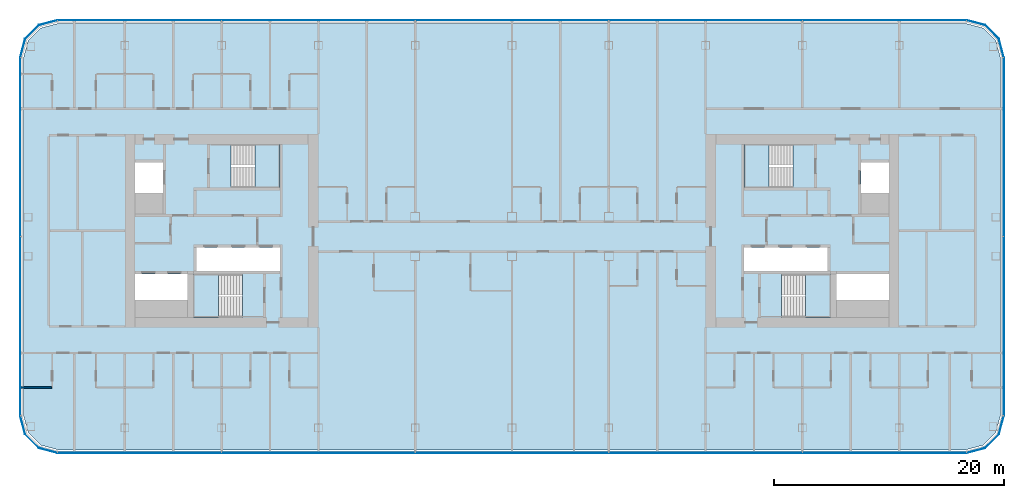
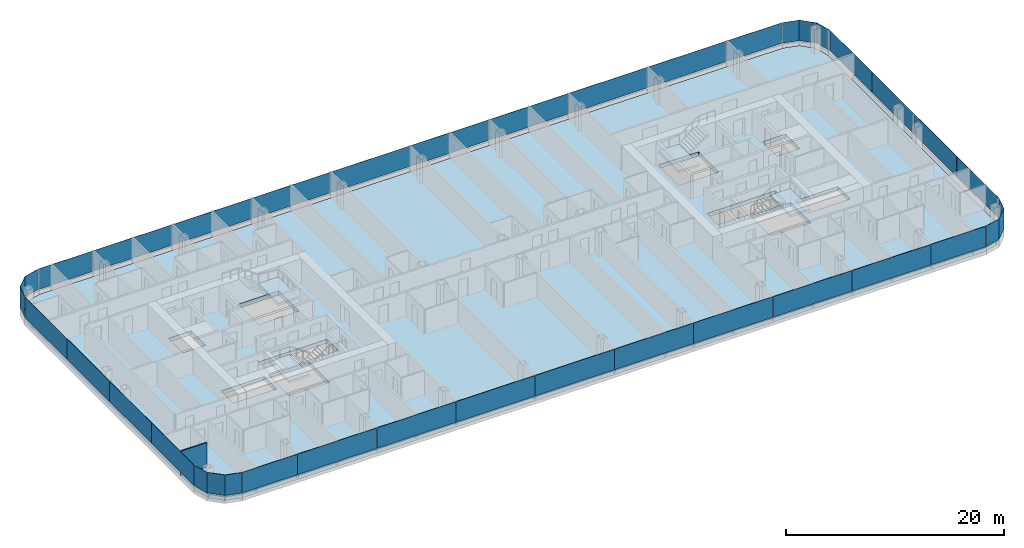
# One storey, part 11 of 26: 32 plates, 5 slabs, 1 wall, 12 elements without a shape of their own.
"""IFC4 building model written with IfcOpenShell, lengths in metres."""

from ifc_helpers import new_model, si_unit, direction, frame, frame_2d, origin, origin_2d, place, context, subcontext, project, spatial, polyline, rectangle, outline, extrude, material, layer, layer_set, type_object, element, aggregate, save


model = new_model("IFC4")

# Units and contexts
model_context = context("Model", 3, precision=1e-05, world=origin(), true_north=direction((0.0, 1.0)))
body_context = subcontext(model_context, "Body", "Model", "MODEL_VIEW")
ifc_project = project(units=[si_unit("LENGTHUNIT", "METRE"), si_unit("AREAUNIT", "SQUARE_METRE"), si_unit("VOLUMEUNIT", "CUBIC_METRE"), si_unit("PLANEANGLEUNIT", "RADIAN"), si_unit("MASSUNIT", "GRAM", prefix="KILO")], contexts=[model_context])

# Site, building, storey
site_placement = place(None, origin())
site = spatial("IfcSite", under=ifc_project, at=site_placement, CompositionType="ELEMENT")
building_placement = place(site_placement, origin())
building = spatial("IfcBuilding", under=site, at=building_placement, Name="Hakoniwa Tower and Hamabe Station Hall", CompositionType="ELEMENT")
storey_placement = place(building_placement, frame((0.0, 0.0, 134.199951171875)))
storey = spatial("IfcBuildingStorey", under=building, at=storey_placement, Name="L37", CompositionType="ELEMENT", Elevation=134.199951171875)

# Stair, slab
ifc_material_1 = material(Name="Concrete C40", Category="concrete")
stair_type = type_object("IfcStairType", Name="ESCAPE STAIR 1800", PredefinedType="HALF_TURN_STAIR", material=ifc_material_1)
stair_1_placement = place(storey_placement, origin())
stair_1 = element("IfcStair", 1, at=stair_1_placement, inside=storey, type_object=stair_type, Name="Escape stair ST-1 L37", PredefinedType="HALF_TURN_STAIR")
ifc_material_2 = material(Name="Concrete C40", Category="concrete")
ifc_layer_1 = layer(ifc_material_2, 0.25)
ifc_layer_set_1 = layer_set([ifc_layer_1], Name="CORE STAIR LANDING 250")
slab_type_1 = type_object("IfcSlabType", Name="CORE STAIR LANDING 250", PredefinedType="LANDING", material=ifc_layer_set_1)
slab_1_placement = place(storey_placement, frame((0.0, 0.0, 1.35009765625)))
slab_1 = element("IfcSlab", 2, at=slab_1_placement, type_object=slab_type_1, Name="ST-1 landing 1", PredefinedType="LANDING", context=body_context, shape_type="SweptSolid", body=[
    extrude(outline(polyline([(-22.320068359375, 3.75), (-20.14990234375, 3.75), (-20.14990234375, 7.5), (-22.320068359375, 7.5), (-22.320068359375, 3.75)])), origin(), (0.0, 0.0, 1.0), 0.25),
])
aggregate(stair_1, [slab_1])

stair_2_placement = place(storey_placement, origin())
stair_2 = element("IfcStair", 3, at=stair_2_placement, inside=storey, type_object=stair_type, Name="Escape stair ST-2 L37", PredefinedType="HALF_TURN_STAIR")
slab_2_placement = place(storey_placement, frame((0.0, 0.0, 1.35009765625)))
slab_2 = element("IfcSlab", 4, at=slab_2_placement, type_object=slab_type_1, Name="ST-2 landing 1", PredefinedType="LANDING", context=body_context, shape_type="SweptSolid", body=[
    extrude(outline(polyline([(-25.47998046875, -7.5), (-27.64990234375, -7.5), (-27.64990234375, -3.75), (-25.47998046875, -3.75), (-25.47998046875, -7.5)])), origin(), (0.0, 0.0, 1.0), 0.25),
])
aggregate(stair_2, [slab_2])

stair_3_placement = place(storey_placement, origin())
stair_3 = element("IfcStair", 5, at=stair_3_placement, inside=storey, type_object=stair_type, Name="Escape stair ST-3 L37", PredefinedType="HALF_TURN_STAIR")
slab_3_placement = place(storey_placement, frame((0.0, 0.0, 1.35009765625)))
slab_3 = element("IfcSlab", 6, at=slab_3_placement, type_object=slab_type_1, Name="ST-3 landing 1", PredefinedType="LANDING", context=body_context, shape_type="SweptSolid", body=[
    extrude(outline(polyline([(22.320068359375, 3.75), (20.14990234375, 3.75), (20.14990234375, 7.5), (22.320068359375, 7.5), (22.320068359375, 3.75)])), origin(), (0.0, 0.0, 1.0), 0.25),
])
aggregate(stair_3, [slab_3])

stair_4_placement = place(storey_placement, origin())
stair_4 = element("IfcStair", 7, at=stair_4_placement, inside=storey, type_object=stair_type, Name="Escape stair ST-4 L37", PredefinedType="HALF_TURN_STAIR")
slab_4_placement = place(storey_placement, frame((0.0, 0.0, 1.35009765625)))
slab_4 = element("IfcSlab", 8, at=slab_4_placement, type_object=slab_type_1, Name="ST-4 landing 1", PredefinedType="LANDING", context=body_context, shape_type="SweptSolid", body=[
    extrude(outline(polyline([(25.47998046875, -7.5), (27.64990234375, -7.5), (27.64990234375, -3.75), (25.47998046875, -3.75), (25.47998046875, -7.5)])), origin(), (0.0, 0.0, 1.0), 0.25),
])
aggregate(stair_4, [slab_4])

# Curtain wall, plates
ifc_material_3 = material(Name="Dark low-e laminated glass", Category="glass")
ifc_layer_2 = layer(ifc_material_3, 0.199951171875)
ifc_layer_set_2 = layer_set([ifc_layer_2], Name="CW-1 UNITISED GUEST")
curtain_wall_type = type_object("IfcCurtainWallType", Name="CW-1 UNITISED GUEST", PredefinedType="NOTDEFINED", material=ifc_layer_set_2)
curtain_wall_1_placement = place(storey_placement, origin())
curtain_wall_1 = element("IfcCurtainWall", 9, at=curtain_wall_1_placement, inside=storey, type_object=curtain_wall_type, Name="CW-1 curtain wall", PredefinedType="NOTDEFINED")
ifc_material_4 = material(Name="Dark low-e laminated glass", Category="glass")
ifc_layer_3 = layer(ifc_material_4, 0.028076171875)
ifc_layer_set_3 = layer_set([ifc_layer_3], Name="CW-1 GLASS UNIT")
plate_type = type_object("IfcPlateType", Name="CW-1 GLASS UNIT", PredefinedType="CURTAIN_PANEL", material=ifc_layer_set_3)
plate_1_placement = place(storey_placement, frame((42.68603515625, -12.154541015625, 0.35009765625), z_axis=(0.0, 0.0, 1.0), x_axis=(0.0, 1.0, 0.0)))
plate_1 = element("IfcPlate", 10, at=plate_1_placement, type_object=plate_type, Name="CW-1 glass unit", PredefinedType="CURTAIN_PANEL", context=body_context, shape_type="SweptSolid", body=[
    extrude(rectangle(XDim=7.749755859375, YDim=0.028076171875, at=origin_2d()), origin(), (0.0, 0.0, 1.0), 2.300048828125),
])
plate_2_placement = place(storey_placement, frame((42.68603515625, -4.384765625, 0.35009765625), z_axis=(0.0, 0.0, 1.0), x_axis=(0.0, 1.0, 0.0)))
plate_2 = element("IfcPlate", 11, at=plate_2_placement, type_object=plate_type, Name="CW-1 glass unit", PredefinedType="CURTAIN_PANEL", context=body_context, shape_type="SweptSolid", body=[
    extrude(rectangle(XDim=7.749755859375, YDim=0.028076171875, at=origin_2d()), origin(), (0.0, 0.0, 1.0), 2.300048828125),
])
plate_3_placement = place(storey_placement, frame((42.68603515625, 3.384765625, 0.35009765625), z_axis=(0.0, 0.0, 1.0), x_axis=(0.0, 1.0, 0.0)))
plate_3 = element("IfcPlate", 12, at=plate_3_placement, type_object=plate_type, Name="CW-1 glass unit", PredefinedType="CURTAIN_PANEL", context=body_context, shape_type="SweptSolid", body=[
    extrude(rectangle(XDim=7.749755859375, YDim=0.028076171875, at=origin_2d()), origin(), (0.0, 0.0, 1.0), 2.300048828125),
])
plate_4_placement = place(storey_placement, frame((42.68603515625, 11.154541015625, 0.35009765625), z_axis=(0.0, 0.0, 1.0), x_axis=(0.0, 1.0, 0.0)))
plate_4 = element("IfcPlate", 13, at=plate_4_placement, type_object=plate_type, Name="CW-1 glass unit", PredefinedType="CURTAIN_PANEL", context=body_context, shape_type="SweptSolid", body=[
    extrude(rectangle(XDim=7.749755859375, YDim=0.028076171875, at=origin_2d()), origin(), (0.0, 0.0, 1.0), 2.300048828125),
])
aggregate(curtain_wall_1, [plate_1, plate_2, plate_3, plate_4])

# Curtain wall, plate
curtain_wall_2_placement = place(storey_placement, origin())
curtain_wall_2 = element("IfcCurtainWall", 14, at=curtain_wall_2_placement, inside=storey, type_object=curtain_wall_type, Name="CW-1 curtain wall", PredefinedType="NOTDEFINED")
plate_5_placement = place(storey_placement, frame((0.0, 0.0, 0.35009765625)))
plate_5 = element("IfcPlate", 15, at=plate_5_placement, type_object=plate_type, Name="CW-1 curved corner unit", PredefinedType="CURTAIN_PANEL", context=body_context, shape_type="SweptSolid", body=[
    extrude(outline(polyline([(42.689697265625, 15.078125), (42.26708984375, 16.6552734375), (41.05517578125, 17.866943359375), (39.47802734375, 18.28955078125), (39.470947265625, 18.2626953125), (41.040771484375, 17.842041015625), (42.241943359375, 16.640869140625), (42.66259765625, 15.07080078125), (42.689697265625, 15.078125)])), origin(), (0.0, 0.0, 1.0), 2.300048828125),
])
aggregate(curtain_wall_2, [plate_5])

# Curtain wall, plates
curtain_wall_3_placement = place(storey_placement, origin())
curtain_wall_3 = element("IfcCurtainWall", 16, at=curtain_wall_3_placement, inside=storey, type_object=curtain_wall_type, Name="CW-1 curtain wall", PredefinedType="NOTDEFINED")
plate_6_placement = place(storey_placement, frame((36.519775390625, 18.285888671875, 0.35009765625), z_axis=(0.0, 0.0, 1.0), x_axis=(-1.0, 0.0, 0.0)))
plate_6 = element("IfcPlate", 17, at=plate_6_placement, type_object=plate_type, Name="CW-1 glass unit", PredefinedType="CURTAIN_PANEL", context=body_context, shape_type="SweptSolid", body=[
    extrude(rectangle(XDim=5.819580078125, YDim=0.028076171875, at=origin_2d()), origin(), (0.0, 0.0, 1.0), 2.300048828125),
])
plate_7_placement = place(storey_placement, frame((29.39990234375, 18.285888671875, 0.35009765625), z_axis=(0.0, 0.0, 1.0), x_axis=(-1.0, 0.0, 0.0)))
plate_7 = element("IfcPlate", 18, at=plate_7_placement, type_object=plate_type, Name="CW-1 glass unit", PredefinedType="CURTAIN_PANEL", context=body_context, shape_type="SweptSolid", body=[
    extrude(rectangle(XDim=8.3798828125, YDim=0.028076171875, at=origin_2d()), origin(), (0.0, 0.0, 1.0), 2.300048828125),
])
plate_8_placement = place(storey_placement, frame((21.0, 18.285888671875, 0.35009765625), z_axis=(0.0, 0.0, 1.0), x_axis=(-1.0, 0.0, 0.0)))
plate_8 = element("IfcPlate", 19, at=plate_8_placement, type_object=plate_type, Name="CW-1 glass unit", PredefinedType="CURTAIN_PANEL", context=body_context, shape_type="SweptSolid", body=[
    extrude(rectangle(XDim=8.3798828125, YDim=0.028076171875, at=origin_2d()), origin(), (0.0, 0.0, 1.0), 2.300048828125),
])
plate_9_placement = place(storey_placement, frame((12.60009765625, 18.285888671875, 0.35009765625), z_axis=(0.0, 0.0, 1.0), x_axis=(-1.0, 0.0, 0.0)))
plate_9 = element("IfcPlate", 20, at=plate_9_placement, type_object=plate_type, Name="CW-1 glass unit", PredefinedType="CURTAIN_PANEL", context=body_context, shape_type="SweptSolid", body=[
    extrude(rectangle(XDim=8.3798828125, YDim=0.028076171875, at=origin_2d()), origin(), (0.0, 0.0, 1.0), 2.300048828125),
])
plate_10_placement = place(storey_placement, frame((4.199951171875, 18.285888671875, 0.35009765625), z_axis=(0.0, 0.0, 1.0), x_axis=(-1.0, 0.0, 0.0)))
plate_10 = element("IfcPlate", 21, at=plate_10_placement, type_object=plate_type, Name="CW-1 glass unit", PredefinedType="CURTAIN_PANEL", context=body_context, shape_type="SweptSolid", body=[
    extrude(rectangle(XDim=8.3798828125, YDim=0.028076171875, at=origin_2d()), origin(), (0.0, 0.0, 1.0), 2.300048828125),
])
plate_11_placement = place(storey_placement, frame((-4.199951171875, 18.285888671875, 0.35009765625), z_axis=(0.0, 0.0, 1.0), x_axis=(-1.0, 0.0, 0.0)))
plate_11 = element("IfcPlate", 22, at=plate_11_placement, type_object=plate_type, Name="CW-1 glass unit", PredefinedType="CURTAIN_PANEL", context=body_context, shape_type="SweptSolid", body=[
    extrude(rectangle(XDim=8.3798828125, YDim=0.028076171875, at=origin_2d()), origin(), (0.0, 0.0, 1.0), 2.300048828125),
])
plate_12_placement = place(storey_placement, frame((-12.60009765625, 18.285888671875, 0.35009765625), z_axis=(0.0, 0.0, 1.0), x_axis=(-1.0, 0.0, 0.0)))
plate_12 = element("IfcPlate", 23, at=plate_12_placement, type_object=plate_type, Name="CW-1 glass unit", PredefinedType="CURTAIN_PANEL", context=body_context, shape_type="SweptSolid", body=[
    extrude(rectangle(XDim=8.3798828125, YDim=0.028076171875, at=origin_2d()), origin(), (0.0, 0.0, 1.0), 2.300048828125),
])
plate_13_placement = place(storey_placement, frame((-21.0, 18.285888671875, 0.35009765625), z_axis=(0.0, 0.0, 1.0), x_axis=(-1.0, 0.0, 0.0)))
plate_13 = element("IfcPlate", 24, at=plate_13_placement, type_object=plate_type, Name="CW-1 glass unit", PredefinedType="CURTAIN_PANEL", context=body_context, shape_type="SweptSolid", body=[
    extrude(rectangle(XDim=8.3798828125, YDim=0.028076171875, at=origin_2d()), origin(), (0.0, 0.0, 1.0), 2.300048828125),
])
plate_14_placement = place(storey_placement, frame((-29.39990234375, 18.285888671875, 0.35009765625), z_axis=(0.0, 0.0, 1.0), x_axis=(-1.0, 0.0, 0.0)))
plate_14 = element("IfcPlate", 25, at=plate_14_placement, type_object=plate_type, Name="CW-1 glass unit", PredefinedType="CURTAIN_PANEL", context=body_context, shape_type="SweptSolid", body=[
    extrude(rectangle(XDim=8.3798828125, YDim=0.028076171875, at=origin_2d()), origin(), (0.0, 0.0, 1.0), 2.300048828125),
])
plate_15_placement = place(storey_placement, frame((-36.519775390625, 18.285888671875, 0.35009765625), z_axis=(0.0, 0.0, 1.0), x_axis=(-1.0, 0.0, 0.0)))
plate_15 = element("IfcPlate", 26, at=plate_15_placement, type_object=plate_type, Name="CW-1 glass unit", PredefinedType="CURTAIN_PANEL", context=body_context, shape_type="SweptSolid", body=[
    extrude(rectangle(XDim=5.819580078125, YDim=0.028076171875, at=origin_2d()), origin(), (0.0, 0.0, 1.0), 2.300048828125),
])
aggregate(curtain_wall_3, [plate_6, plate_7, plate_8, plate_9, plate_10, plate_11, plate_12, plate_13, plate_14, plate_15])

# Curtain wall, plate
curtain_wall_4_placement = place(storey_placement, origin())
curtain_wall_4 = element("IfcCurtainWall", 27, at=curtain_wall_4_placement, inside=storey, type_object=curtain_wall_type, Name="CW-1 curtain wall", PredefinedType="NOTDEFINED")
plate_16_placement = place(storey_placement, frame((0.0, 0.0, 0.35009765625)))
plate_16 = element("IfcPlate", 28, at=plate_16_placement, type_object=plate_type, Name="CW-1 curved corner unit", PredefinedType="CURTAIN_PANEL", context=body_context, shape_type="SweptSolid", body=[
    extrude(outline(polyline([(-39.47802734375, 18.28955078125), (-41.05517578125, 17.866943359375), (-42.26708984375, 16.6552734375), (-42.689697265625, 15.078125), (-42.66259765625, 15.07080078125), (-42.241943359375, 16.640869140625), (-41.040771484375, 17.842041015625), (-39.470947265625, 18.2626953125), (-39.47802734375, 18.28955078125)])), origin(), (0.0, 0.0, 1.0), 2.300048828125),
])
aggregate(curtain_wall_4, [plate_16])

# Curtain wall, plates
curtain_wall_5_placement = place(storey_placement, origin())
curtain_wall_5 = element("IfcCurtainWall", 29, at=curtain_wall_5_placement, inside=storey, type_object=curtain_wall_type, Name="CW-1 curtain wall", PredefinedType="NOTDEFINED")
plate_17_placement = place(storey_placement, frame((-42.68603515625, 11.154541015625, 0.35009765625), z_axis=(0.0, 0.0, 1.0), x_axis=(0.0, -1.0, 0.0)))
plate_17 = element("IfcPlate", 30, at=plate_17_placement, type_object=plate_type, Name="CW-1 glass unit", PredefinedType="CURTAIN_PANEL", context=body_context, shape_type="SweptSolid", body=[
    extrude(rectangle(XDim=7.749755859375, YDim=0.028076171875, at=origin_2d()), origin(), (0.0, 0.0, 1.0), 2.300048828125),
])
plate_18_placement = place(storey_placement, frame((-42.68603515625, 3.384765625, 0.35009765625), z_axis=(0.0, 0.0, 1.0), x_axis=(0.0, -1.0, 0.0)))
plate_18 = element("IfcPlate", 31, at=plate_18_placement, type_object=plate_type, Name="CW-1 glass unit", PredefinedType="CURTAIN_PANEL", context=body_context, shape_type="SweptSolid", body=[
    extrude(rectangle(XDim=7.749755859375, YDim=0.028076171875, at=origin_2d()), origin(), (0.0, 0.0, 1.0), 2.300048828125),
])
plate_19_placement = place(storey_placement, frame((-42.68603515625, -4.384765625, 0.35009765625), z_axis=(0.0, 0.0, 1.0), x_axis=(0.0, -1.0, 0.0)))
plate_19 = element("IfcPlate", 32, at=plate_19_placement, type_object=plate_type, Name="CW-1 glass unit", PredefinedType="CURTAIN_PANEL", context=body_context, shape_type="SweptSolid", body=[
    extrude(rectangle(XDim=7.749755859375, YDim=0.028076171875, at=origin_2d()), origin(), (0.0, 0.0, 1.0), 2.300048828125),
])
plate_20_placement = place(storey_placement, frame((-42.68603515625, -12.154541015625, 0.35009765625), z_axis=(0.0, 0.0, 1.0), x_axis=(0.0, -1.0, 0.0)))
plate_20 = element("IfcPlate", 33, at=plate_20_placement, type_object=plate_type, Name="CW-1 glass unit", PredefinedType="CURTAIN_PANEL", context=body_context, shape_type="SweptSolid", body=[
    extrude(rectangle(XDim=7.749755859375, YDim=0.028076171875, at=origin_2d()), origin(), (0.0, 0.0, 1.0), 2.300048828125),
])
aggregate(curtain_wall_5, [plate_17, plate_18, plate_19, plate_20])

# Curtain wall, plate
curtain_wall_6_placement = place(storey_placement, origin())
curtain_wall_6 = element("IfcCurtainWall", 34, at=curtain_wall_6_placement, inside=storey, type_object=curtain_wall_type, Name="CW-1 curtain wall", PredefinedType="NOTDEFINED")
plate_21_placement = place(storey_placement, frame((0.0, 0.0, 0.35009765625)))
plate_21 = element("IfcPlate", 35, at=plate_21_placement, type_object=plate_type, Name="CW-1 curved corner unit", PredefinedType="CURTAIN_PANEL", context=body_context, shape_type="SweptSolid", body=[
    extrude(outline(polyline([(-42.689697265625, -16.078125), (-42.26708984375, -17.6552734375), (-41.05517578125, -18.866943359375), (-39.47802734375, -19.28955078125), (-39.470947265625, -19.2626953125), (-41.040771484375, -18.842041015625), (-42.241943359375, -17.640869140625), (-42.66259765625, -16.07080078125), (-42.689697265625, -16.078125)])), origin(), (0.0, 0.0, 1.0), 2.300048828125),
])
aggregate(curtain_wall_6, [plate_21])

# Curtain wall, plates
curtain_wall_7_placement = place(storey_placement, origin())
curtain_wall_7 = element("IfcCurtainWall", 36, at=curtain_wall_7_placement, inside=storey, type_object=curtain_wall_type, Name="CW-1 curtain wall", PredefinedType="NOTDEFINED")
plate_22_placement = place(storey_placement, frame((-36.519775390625, -19.285888671875, 0.35009765625), z_axis=(0.0, 0.0, 1.0), x_axis=(1.0, 0.0, 0.0)))
plate_22 = element("IfcPlate", 37, at=plate_22_placement, type_object=plate_type, Name="CW-1 glass unit", PredefinedType="CURTAIN_PANEL", context=body_context, shape_type="SweptSolid", body=[
    extrude(rectangle(XDim=5.819580078125, YDim=0.028076171875, at=origin_2d()), origin(), (0.0, 0.0, 1.0), 2.300048828125),
])
plate_23_placement = place(storey_placement, frame((-29.39990234375, -19.285888671875, 0.35009765625), z_axis=(0.0, 0.0, 1.0), x_axis=(1.0, 0.0, 0.0)))
plate_23 = element("IfcPlate", 38, at=plate_23_placement, type_object=plate_type, Name="CW-1 glass unit", PredefinedType="CURTAIN_PANEL", context=body_context, shape_type="SweptSolid", body=[
    extrude(rectangle(XDim=8.3798828125, YDim=0.028076171875, at=origin_2d()), origin(), (0.0, 0.0, 1.0), 2.300048828125),
])
plate_24_placement = place(storey_placement, frame((-21.0, -19.285888671875, 0.35009765625), z_axis=(0.0, 0.0, 1.0), x_axis=(1.0, 0.0, 0.0)))
plate_24 = element("IfcPlate", 39, at=plate_24_placement, type_object=plate_type, Name="CW-1 glass unit", PredefinedType="CURTAIN_PANEL", context=body_context, shape_type="SweptSolid", body=[
    extrude(rectangle(XDim=8.3798828125, YDim=0.028076171875, at=origin_2d()), origin(), (0.0, 0.0, 1.0), 2.300048828125),
])
plate_25_placement = place(storey_placement, frame((-12.60009765625, -19.285888671875, 0.35009765625), z_axis=(0.0, 0.0, 1.0), x_axis=(1.0, 0.0, 0.0)))
plate_25 = element("IfcPlate", 40, at=plate_25_placement, type_object=plate_type, Name="CW-1 glass unit", PredefinedType="CURTAIN_PANEL", context=body_context, shape_type="SweptSolid", body=[
    extrude(rectangle(XDim=8.3798828125, YDim=0.028076171875, at=origin_2d()), origin(), (0.0, 0.0, 1.0), 2.300048828125),
])
plate_26_placement = place(storey_placement, frame((-4.199951171875, -19.285888671875, 0.35009765625), z_axis=(0.0, 0.0, 1.0), x_axis=(1.0, 0.0, 0.0)))
plate_26 = element("IfcPlate", 41, at=plate_26_placement, type_object=plate_type, Name="CW-1 glass unit", PredefinedType="CURTAIN_PANEL", context=body_context, shape_type="SweptSolid", body=[
    extrude(rectangle(XDim=8.3798828125, YDim=0.028076171875, at=origin_2d()), origin(), (0.0, 0.0, 1.0), 2.300048828125),
])
plate_27_placement = place(storey_placement, frame((4.199951171875, -19.285888671875, 0.35009765625), z_axis=(0.0, 0.0, 1.0), x_axis=(1.0, 0.0, 0.0)))
plate_27 = element("IfcPlate", 42, at=plate_27_placement, type_object=plate_type, Name="CW-1 glass unit", PredefinedType="CURTAIN_PANEL", context=body_context, shape_type="SweptSolid", body=[
    extrude(rectangle(XDim=8.3798828125, YDim=0.028076171875, at=origin_2d()), origin(), (0.0, 0.0, 1.0), 2.300048828125),
])
plate_28_placement = place(storey_placement, frame((12.60009765625, -19.285888671875, 0.35009765625), z_axis=(0.0, 0.0, 1.0), x_axis=(1.0, 0.0, 0.0)))
plate_28 = element("IfcPlate", 43, at=plate_28_placement, type_object=plate_type, Name="CW-1 glass unit", PredefinedType="CURTAIN_PANEL", context=body_context, shape_type="SweptSolid", body=[
    extrude(rectangle(XDim=8.3798828125, YDim=0.028076171875, at=origin_2d()), origin(), (0.0, 0.0, 1.0), 2.300048828125),
])
plate_29_placement = place(storey_placement, frame((21.0, -19.285888671875, 0.35009765625), z_axis=(0.0, 0.0, 1.0), x_axis=(1.0, 0.0, 0.0)))
plate_29 = element("IfcPlate", 44, at=plate_29_placement, type_object=plate_type, Name="CW-1 glass unit", PredefinedType="CURTAIN_PANEL", context=body_context, shape_type="SweptSolid", body=[
    extrude(rectangle(XDim=8.3798828125, YDim=0.028076171875, at=origin_2d()), origin(), (0.0, 0.0, 1.0), 2.300048828125),
])
plate_30_placement = place(storey_placement, frame((29.39990234375, -19.285888671875, 0.35009765625), z_axis=(0.0, 0.0, 1.0), x_axis=(1.0, 0.0, 0.0)))
plate_30 = element("IfcPlate", 45, at=plate_30_placement, type_object=plate_type, Name="CW-1 glass unit", PredefinedType="CURTAIN_PANEL", context=body_context, shape_type="SweptSolid", body=[
    extrude(rectangle(XDim=8.3798828125, YDim=0.028076171875, at=origin_2d()), origin(), (0.0, 0.0, 1.0), 2.300048828125),
])
plate_31_placement = place(storey_placement, frame((36.519775390625, -19.285888671875, 0.35009765625), z_axis=(0.0, 0.0, 1.0), x_axis=(1.0, 0.0, 0.0)))
plate_31 = element("IfcPlate", 46, at=plate_31_placement, type_object=plate_type, Name="CW-1 glass unit", PredefinedType="CURTAIN_PANEL", context=body_context, shape_type="SweptSolid", body=[
    extrude(rectangle(XDim=5.819580078125, YDim=0.028076171875, at=origin_2d()), origin(), (0.0, 0.0, 1.0), 2.300048828125),
])
aggregate(curtain_wall_7, [plate_22, plate_23, plate_24, plate_25, plate_26, plate_27, plate_28, plate_29, plate_30, plate_31])

# Curtain wall, plate
curtain_wall_8_placement = place(storey_placement, origin())
curtain_wall_8 = element("IfcCurtainWall", 47, at=curtain_wall_8_placement, inside=storey, type_object=curtain_wall_type, Name="CW-1 curtain wall", PredefinedType="NOTDEFINED")
plate_32_placement = place(storey_placement, frame((0.0, 0.0, 0.35009765625)))
plate_32 = element("IfcPlate", 48, at=plate_32_placement, type_object=plate_type, Name="CW-1 curved corner unit", PredefinedType="CURTAIN_PANEL", context=body_context, shape_type="SweptSolid", body=[
    extrude(outline(polyline([(39.47802734375, -19.28955078125), (41.05517578125, -18.866943359375), (42.26708984375, -17.6552734375), (42.689697265625, -16.078125), (42.66259765625, -16.07080078125), (42.241943359375, -17.640869140625), (41.040771484375, -18.842041015625), (39.470947265625, -19.2626953125), (39.47802734375, -19.28955078125)])), origin(), (0.0, 0.0, 1.0), 2.300048828125),
])
aggregate(curtain_wall_8, [plate_32])

# Slab
ifc_material_5 = material(Name="Concrete C42", Category="concrete")
ifc_layer_4 = layer(ifc_material_5, 0.449951171875)
ifc_layer_set_4 = layer_set([ifc_layer_4], Name="PT FLAT PLATE 450")
slab_type_2 = type_object("IfcSlabType", Name="PT FLAT PLATE 450", PredefinedType="FLOOR", material=ifc_layer_set_4)
slab_5_placement = place(storey_placement, frame((0.0, 0.0, -0.449951171875)))
element("IfcSlab", 49, at=slab_5_placement, inside=storey, type_object=slab_type_2, Name="Floor slab L37", PredefinedType="FLOOR", context=body_context, shape_type="SweptSolid", body=[
    extrude(outline(polyline([(42.39990234375, -16.0), (42.39990234375, 15.0), (41.998046875, 16.5), (40.89990234375, 17.59814453125), (39.39990234375, 18.0), (-39.39990234375, 18.0), (-40.89990234375, 17.59814453125), (-41.998046875, 16.5), (-42.39990234375, 15.0), (-42.39990234375, -16.0), (-41.998046875, -17.5), (-40.89990234375, -18.59814453125), (-39.39990234375, -19.0), (39.39990234375, -19.0), (40.89990234375, -18.59814453125), (41.998046875, -17.5), (42.39990234375, -16.0)]), holes=[polyline([(-27.39990234375, -3.5), (-27.39990234375, -1.449951171875), (-20.14990234375, -1.449951171875), (-20.14990234375, -3.5), (-27.39990234375, -3.5)]), polyline([(-32.699951171875, 3.300048828125), (-32.699951171875, 5.949951171875), (-30.300048828125, 5.949951171875), (-30.300048828125, 3.300048828125), (-32.699951171875, 3.300048828125)]), polyline([(-32.699951171875, -6.0), (-32.699951171875, -3.75), (-28.14990234375, -3.75), (-28.14990234375, -6.0), (-32.699951171875, -6.0)]), polyline([(-24.389892578125, 3.75), (-24.389892578125, 7.5), (-20.14990234375, 7.5), (-20.14990234375, 3.75), (-24.389892578125, 3.75)]), polyline([(-27.64990234375, -7.5), (-27.64990234375, -3.75), (-23.409912109375, -3.75), (-23.409912109375, -7.5), (-27.64990234375, -7.5)]), polyline([(20.14990234375, -3.5), (20.14990234375, -1.449951171875), (27.39990234375, -1.449951171875), (27.39990234375, -3.5), (20.14990234375, -3.5)]), polyline([(30.300048828125, 3.300048828125), (30.300048828125, 5.949951171875), (32.699951171875, 5.949951171875), (32.699951171875, 3.300048828125), (30.300048828125, 3.300048828125)]), polyline([(28.14990234375, -6.0), (28.14990234375, -3.75), (32.699951171875, -3.75), (32.699951171875, -6.0), (28.14990234375, -6.0)]), polyline([(20.14990234375, 3.75), (20.14990234375, 7.5), (24.389892578125, 7.5), (24.389892578125, 3.75), (20.14990234375, 3.75)]), polyline([(23.409912109375, -7.5), (23.409912109375, -3.75), (27.64990234375, -3.75), (27.64990234375, -7.5), (23.409912109375, -7.5)])]), origin(), (0.0, 0.0, 1.0), 0.449951171875),
])

# Wall
ifc_material_6 = material(Name="Gypsum board partition", Category="gypsum")
ifc_layer_5 = layer(ifc_material_6, 0.125)
ifc_layer_set_5 = layer_set([ifc_layer_5], Name="Bathroom Partition 125")
wall_type = type_object("IfcWallType", Name="Bathroom Partition 125", PredefinedType="PARTITIONING", material=ifc_layer_set_5)
wall_placement = place(storey_placement, frame((-42.699951171875, -13.60009765625, 0.0), z_axis=(0.0, 0.0, 1.0), x_axis=(1.0, 0.0, 0.0)))
element("IfcWall", 50, at=wall_placement, inside=storey, type_object=wall_type, Name="GW-L37-001", PredefinedType="PARTITIONING", context=body_context, shape_type="SweptSolid", body=[
    extrude(rectangle(XDim=2.737548828125, YDim=0.125, at=frame_2d((1.36865234375, 0.0))), origin(), (0.0, 0.0, 1.0), 2.75),
])

save(model, "model.ifc")
